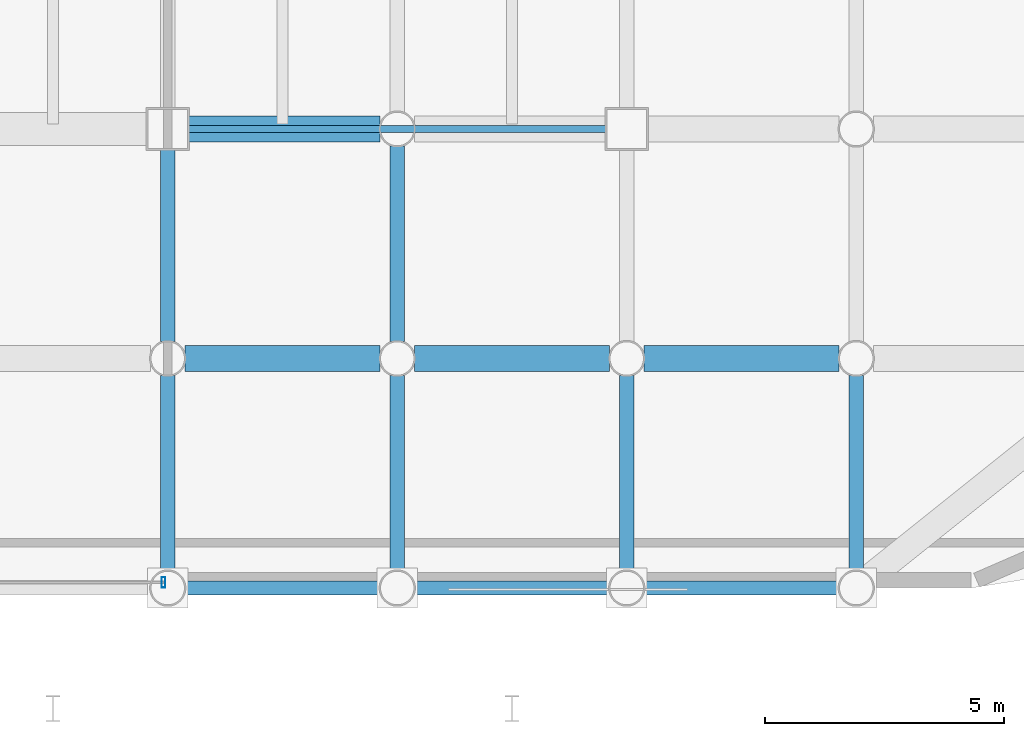
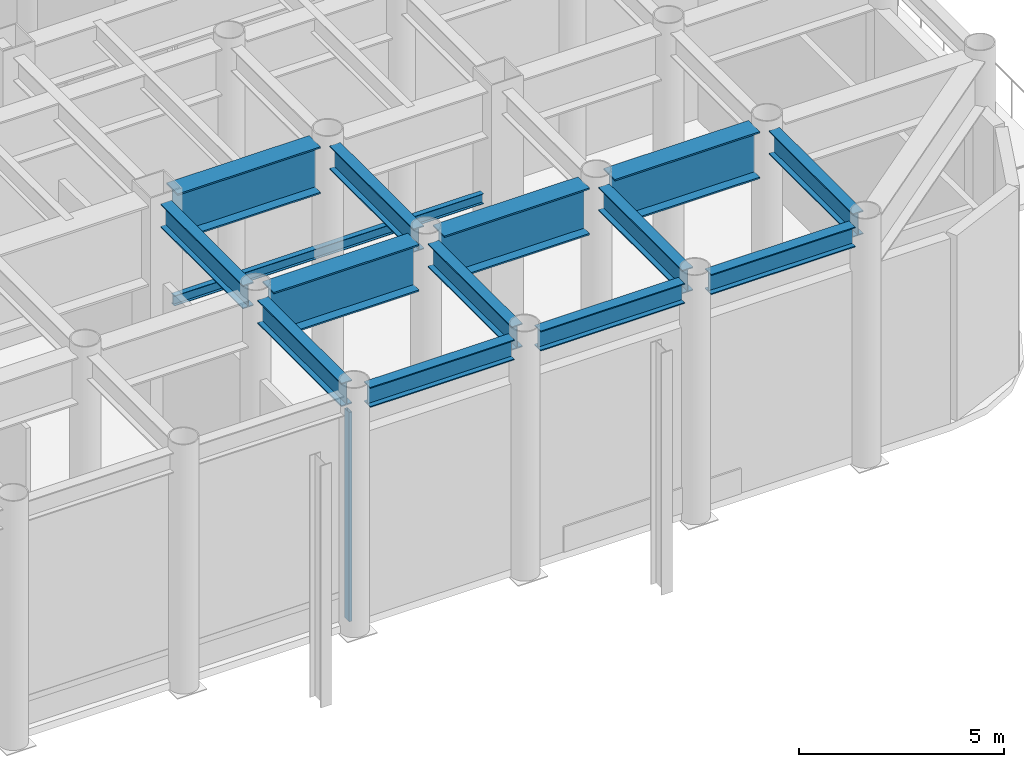
# One storey, part 8 of 23: 14 beams, 1 member, 1 element without a shape of its own.
"""IFC4 building model written with IfcOpenShell, lengths in metres."""

from ifc_helpers import new_model, si_unit, direction, frame, origin, origin_2d, place, context, subcontext, project, spatial, hollow_rectangle, i_section, extrude, material, layer, layer_set, material_profile, profile_set, type_object, element, aggregate, save


model = new_model("IFC4")

# Units and contexts
model_context = context("Model", 3, precision=1e-05, world=origin(), true_north=direction((0.0, 1.0)))
body_context = subcontext(model_context, "Body", "Model", "MODEL_VIEW")
ifc_project = project(units=[si_unit("LENGTHUNIT", "METRE"), si_unit("AREAUNIT", "SQUARE_METRE"), si_unit("VOLUMEUNIT", "CUBIC_METRE"), si_unit("PLANEANGLEUNIT", "RADIAN"), si_unit("MASSUNIT", "GRAM", prefix="KILO")], contexts=[model_context])

# Site, building, storey
site_placement = place(None, origin())
site = spatial("IfcSite", under=ifc_project, at=site_placement, CompositionType="ELEMENT")
building_placement = place(site_placement, origin())
building = spatial("IfcBuilding", under=site, at=building_placement, Name="Kallvorn Hotel Tower", CompositionType="ELEMENT")
storey_placement = place(building_placement, frame((0.0, 0.0, 12.0)))
storey = spatial("IfcBuildingStorey", under=building, at=storey_placement, Name="L02", CompositionType="ELEMENT", Elevation=12.0)

# Beams
ifc_material_1 = material(Name="Structural steel S355JR", Category="steel")
ifc_material_profile_1 = material_profile(ifc_material_1, i_section(OverallWidth=0.300048828125, OverallDepth=0.60009765625, WebThickness=0.015380859375, FlangeThickness=0.030029296875, at=origin_2d()), Name="HE 600 B")
ifc_profile_set_1 = profile_set([ifc_material_profile_1], Name="Structural steel S355JR")
beam_type_1 = type_object("IfcBeamType", Name="BM_HE600B", PredefinedType="SPANDREL", material=ifc_profile_set_1)
beam_1_placement = place(storey_placement, frame((14.77099609375, -24.0, 6.6201171875), z_axis=(1.0, 0.0, 0.0), x_axis=(0.0, 1.0, 0.0)))
element("IfcBeam", 1, at=beam_1_placement, inside=storey, type_object=beam_type_1, Name="L03 Perimeter Spandrel 177", PredefinedType="SPANDREL", context=body_context, shape_type="SweptSolid", body=[
    extrude(i_section(OverallWidth=0.300048828125, OverallDepth=0.60009765625, WebThickness=0.015380859375, FlangeThickness=0.030029296875, at=origin_2d()), origin(), (0.0, 0.0, 1.0), 4.05810546875),
])
for number, where, z_axis, x_axis, name in (
    (2, (19.571044921875, -24.0, 6.6201171875), (1.0, 0.0, 0.0), (0.0, 1.0, 0.0), "L03 Perimeter Spandrel 178"),
    (3, (24.37109375, -24.0, 6.6201171875), (1.0, 0.0, 0.0), (0.0, 1.0, 0.0), "L03 Perimeter Spandrel 179"),
):
    element("IfcBeam", number, at=place(storey_placement, frame(where, z_axis=z_axis, x_axis=x_axis)), inside=storey, type_object=beam_type_1, Name=name, PredefinedType="SPANDREL", context=body_context, shape_type="SweptSolid", body=[
        extrude(i_section(OverallWidth=0.300048828125, OverallDepth=0.60009765625, WebThickness=0.015380859375, FlangeThickness=0.030029296875, at=origin_2d()), origin(), (0.0, 0.0, 1.0), 4.057861328125),
    ])
ifc_material_2 = material(Name="Structural steel S355JR", Category="steel")
ifc_material_profile_2 = material_profile(ifc_material_2, i_section(OverallWidth=0.300048828125, OverallDepth=0.699951171875, WebThickness=0.01708984375, FlangeThickness=0.031982421875, at=origin_2d()), Name="HE 700 B")
ifc_profile_set_2 = profile_set([ifc_material_profile_2], Name="Structural steel S355JR")
beam_type_2 = type_object("IfcBeamType", Name="BM_HE700B", PredefinedType="BEAM", material=ifc_profile_set_2)
beam_2_placement = place(storey_placement, frame((14.39990234375, -23.64404296875, 6.570068359375), z_axis=(0.0, 1.0, 0.0), x_axis=(-1.0, 0.0, 0.0)))
element("IfcBeam", 4, at=beam_2_placement, inside=storey, type_object=beam_type_2, Name="L03 Primary Y-Girder 134", PredefinedType="BEAM", context=body_context, shape_type="SweptSolid", body=[
    extrude(i_section(OverallWidth=0.300048828125, OverallDepth=0.699951171875, WebThickness=0.01708984375, FlangeThickness=0.031982421875, at=origin_2d()), origin(), (0.0, 0.0, 1.0), 4.088134765625),
])
beam_3_placement = place(storey_placement, frame((14.39990234375, -18.843994140625, 6.570068359375), z_axis=(0.0, 1.0, 0.0), x_axis=(-1.0, 0.0, 0.0)))
element("IfcBeam", 5, at=beam_3_placement, inside=storey, type_object=beam_type_2, Name="L03 Primary Y-Girder 135", PredefinedType="BEAM", context=body_context, shape_type="SweptSolid", body=[
    extrude(i_section(OverallWidth=0.300048828125, OverallDepth=0.699951171875, WebThickness=0.01708984375, FlangeThickness=0.031982421875, at=origin_2d()), origin(), (0.0, 0.0, 1.0), 4.01904296875),
])
beam_4_placement = place(storey_placement, frame((19.199951171875, -23.64404296875, 6.570068359375), z_axis=(0.0, 1.0, 0.0), x_axis=(-1.0, 0.0, 0.0)))
element("IfcBeam", 6, at=beam_4_placement, inside=storey, type_object=beam_type_2, Name="L03 Primary Y-Girder 140", PredefinedType="BEAM", context=body_context, shape_type="SweptSolid", body=[
    extrude(i_section(OverallWidth=0.300048828125, OverallDepth=0.699951171875, WebThickness=0.01708984375, FlangeThickness=0.031982421875, at=origin_2d()), origin(), (0.0, 0.0, 1.0), 4.088134765625),
])
beam_5_placement = place(storey_placement, frame((19.199951171875, -18.843994140625, 6.570068359375), z_axis=(0.0, 1.0, 0.0), x_axis=(-1.0, 0.0, 0.0)))
element("IfcBeam", 7, at=beam_5_placement, inside=storey, type_object=beam_type_2, Name="L03 Primary Y-Girder 141", PredefinedType="BEAM", context=body_context, shape_type="SweptSolid", body=[
    extrude(i_section(OverallWidth=0.300048828125, OverallDepth=0.699951171875, WebThickness=0.01708984375, FlangeThickness=0.031982421875, at=origin_2d()), origin(), (0.0, 0.0, 1.0), 4.087890625),
])
for number, where, z_axis, x_axis, name in (
    (8, (24.0, -23.64404296875, 6.570068359375), (0.0, 1.0, 0.0), (-1.0, 0.0, 0.0), "L03 Primary Y-Girder 150"),
    (9, (28.800048828125, -23.64404296875, 6.570068359375), (0.0, 1.0, 0.0), (-1.0, 0.0, 0.0), "L03 Primary Y-Girder 158"),
):
    element("IfcBeam", number, at=place(storey_placement, frame(where, z_axis=z_axis, x_axis=x_axis)), inside=storey, type_object=beam_type_2, Name=name, PredefinedType="BEAM", context=body_context, shape_type="SweptSolid", body=[
        extrude(i_section(OverallWidth=0.300048828125, OverallDepth=0.699951171875, WebThickness=0.01708984375, FlangeThickness=0.031982421875, at=origin_2d()), origin(), (0.0, 0.0, 1.0), 4.088134765625),
    ])
ifc_material_3 = material(Name="Structural steel S355JR", Category="steel")
ifc_material_profile_3 = material_profile(ifc_material_3, i_section(OverallWidth=0.14990234375, OverallDepth=0.300048828125, WebThickness=0.007080078125, FlangeThickness=0.0107421875, at=origin_2d()), Name="IPE 300")
ifc_profile_set_3 = profile_set([ifc_material_profile_3], Name="Structural steel S355JR")
beam_type_3 = type_object("IfcBeamType", Name="BM_IPE300", PredefinedType="LINTEL", material=ifc_profile_set_3)
beam_6_placement = place(storey_placement, frame((14.840087890625, -14.39990234375, 3.60009765625), z_axis=(1.0, 0.0, 0.0), x_axis=(0.0, 1.0, 0.0)))
element("IfcBeam", 10, at=beam_6_placement, inside=storey, type_object=beam_type_3, Name="L02 Concourse Portal Lintel Beam 2", PredefinedType="LINTEL", context=body_context, shape_type="SweptSolid", body=[
    extrude(i_section(OverallWidth=0.14990234375, OverallDepth=0.300048828125, WebThickness=0.007080078125, FlangeThickness=0.0107421875, at=origin_2d()), origin(), (0.0, 0.0, 1.0), 8.719970703125),
])
ifc_material_4 = material(Name="Structural steel S355JR", Category="steel")
ifc_material_profile_4 = material_profile(ifc_material_4, i_section(OverallWidth=0.550048828125, OverallDepth=1.39990234375, WebThickness=0.02490234375, FlangeThickness=0.044921875, at=origin_2d()), Name="PG 1400x550x25x45")
ifc_profile_set_4 = profile_set([ifc_material_profile_4], Name="Structural steel S355JR")
beam_type_4 = type_object("IfcBeamType", Name="BM_PG_1400", PredefinedType="BEAM", material=ifc_profile_set_4)
beam_7_placement = place(storey_placement, frame((14.756103515625, -19.199951171875, 6.219970703125), z_axis=(1.0, 0.0, 0.0), x_axis=(0.0, 1.0, 0.0)))
element("IfcBeam", 11, at=beam_7_placement, inside=storey, type_object=beam_type_4, Name="L03 Primary X-Girder 12", PredefinedType="BEAM", context=body_context, shape_type="SweptSolid", body=[
    extrude(i_section(OverallWidth=0.550048828125, OverallDepth=1.39990234375, WebThickness=0.02490234375, FlangeThickness=0.044921875, at=origin_2d()), origin(), (0.0, 0.0, 1.0), 4.087890625),
])
for number, where, z_axis, x_axis, name in (
    (12, (19.555908203125, -19.199951171875, 6.219970703125), (1.0, 0.0, 0.0), (0.0, 1.0, 0.0), "L03 Primary X-Girder 13"),
    (13, (24.35595703125, -19.199951171875, 6.219970703125), (1.0, 0.0, 0.0), (0.0, 1.0, 0.0), "L03 Primary X-Girder 14"),
):
    element("IfcBeam", number, at=place(storey_placement, frame(where, z_axis=z_axis, x_axis=x_axis)), inside=storey, type_object=beam_type_4, Name=name, PredefinedType="BEAM", context=body_context, shape_type="SweptSolid", body=[
        extrude(i_section(OverallWidth=0.550048828125, OverallDepth=1.39990234375, WebThickness=0.02490234375, FlangeThickness=0.044921875, at=origin_2d()), origin(), (0.0, 0.0, 1.0), 4.088134765625),
    ])
beam_8_placement = place(storey_placement, frame((14.824951171875, -14.39990234375, 6.219970703125), z_axis=(1.0, 0.0, 0.0), x_axis=(0.0, 1.0, 0.0)))
element("IfcBeam", 14, at=beam_8_placement, inside=storey, type_object=beam_type_4, Name="L03 Primary X-Girder 20", PredefinedType="BEAM", context=body_context, shape_type="SweptSolid", body=[
    extrude(i_section(OverallWidth=0.550048828125, OverallDepth=1.39990234375, WebThickness=0.02490234375, FlangeThickness=0.044921875, at=origin_2d()), origin(), (0.0, 0.0, 1.0), 4.01904296875),
])

# Curtain wall, member
ifc_material_5 = material(Name="Thermally broken black-anodised aluminium AA 6063-T6", Category="aluminium")
ifc_layer = layer(ifc_material_5, 0.219970703125)
ifc_layer_set = layer_set([ifc_layer], Name="CW_SYS_2_PODIUM_CASC")
curtain_wall_type = type_object("IfcCurtainWallType", Name="CW_SYS_2_PODIUM_CASC", PredefinedType="USERDEFINED", material=ifc_layer_set)
curtain_wall_placement = place(storey_placement, origin())
curtain_wall = element("IfcCurtainWall", 15, at=curtain_wall_placement, inside=storey, type_object=curtain_wall_type, Name="L02 Dark-Glass Curtain Wall CW-L02-S3", ObjectType="UNITISED CURTAIN WALL", PredefinedType="USERDEFINED")
ifc_material_6 = material(Name="Thermally broken black-anodised aluminium AA 6063-T6", Category="aluminium")
ifc_material_profile_5 = material_profile(ifc_material_6, hollow_rectangle(XDim=0.080078125, YDim=0.219970703125, WallThickness=0.0048828125, at=origin_2d()), Name="MUL 220x80")
ifc_profile_set_5 = profile_set([ifc_material_profile_5], Name="Thermally broken black-anodised aluminium AA 6063-T6")
member_type = type_object("IfcMemberType", Name="CW_MULLION_220x80", PredefinedType="MULLION", material=ifc_profile_set_5)
member_placement = place(storey_placement, frame((14.31005859375, -23.8798828125, 0.02001953125), z_axis=(0.0, 0.0, 1.0), x_axis=(1.0, 0.0, 0.0)))
member = element("IfcMember", 16, at=member_placement, type_object=member_type, Name="CW-L02-S3 Mullion 01", PredefinedType="MULLION", context=body_context, shape_type="SweptSolid", body=[
    extrude(hollow_rectangle(XDim=0.080078125, YDim=0.219970703125, WallThickness=0.0048828125, at=origin_2d()), origin(), (0.0, 0.0, 1.0), 6.22998046875),
])
aggregate(curtain_wall, [member])

save(model, "model.ifc")
